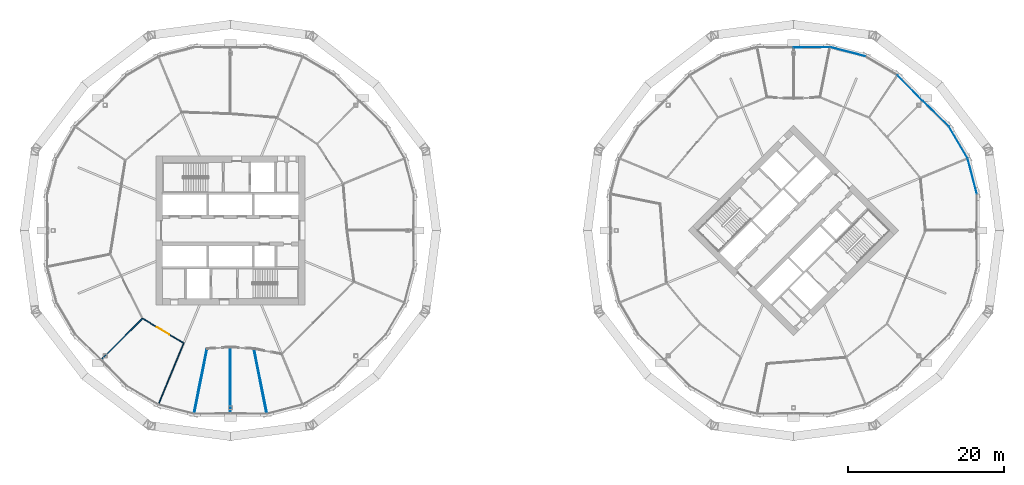
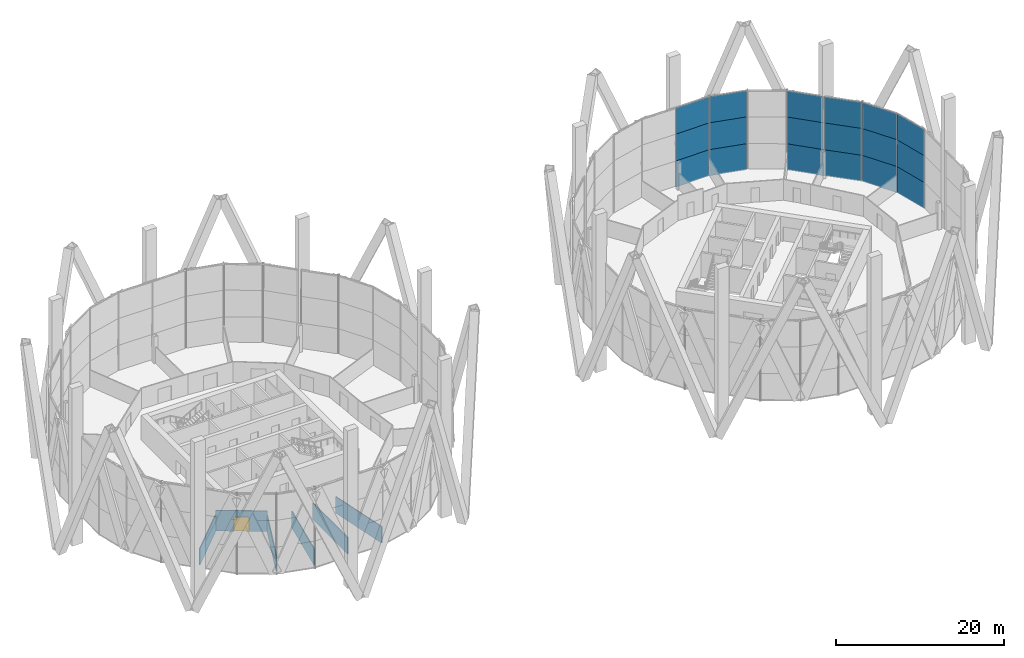
# One storey, part 18 of 26: 18 plates, 6 walls, 1 door, 1 opening, 2 elements without a shape of their own.
"""IFC4 building model written with IfcOpenShell, lengths in metres."""

from ifc_helpers import new_model, si_unit, direction, frame, frame_2d, origin, origin_2d, place, context, subcontext, project, spatial, rectangle, extrude, material, layer, layer_set, type_object, element, fill, aggregate, save


model = new_model("IFC4")

# Units and contexts
model_context = context("Model", 3, precision=1e-05, world=origin(), true_north=direction((0.0, 1.0)))
body_context = subcontext(model_context, "Body", "Model", "MODEL_VIEW")
ifc_project = project(units=[si_unit("LENGTHUNIT", "METRE"), si_unit("AREAUNIT", "SQUARE_METRE"), si_unit("VOLUMEUNIT", "CUBIC_METRE"), si_unit("PLANEANGLEUNIT", "RADIAN"), si_unit("MASSUNIT", "GRAM", prefix="KILO")], contexts=[model_context])

# Site, building, storey
site_placement = place(None, origin())
site = spatial("IfcSite", under=ifc_project, at=site_placement, CompositionType="ELEMENT")
building_placement = place(site_placement, origin())
building = spatial("IfcBuilding", under=site, at=building_placement, Name="Ogive Gate Towers", CompositionType="ELEMENT")
storey_placement = place(building_placement, frame((0.0, 0.0, 76.199951171875)))
storey = spatial("IfcBuildingStorey", under=building, at=storey_placement, Name="L17", CompositionType="ELEMENT", Elevation=76.199951171875)

# Curtain wall, plates
ifc_material_1 = material(Name="Pale metal aluminium", Category="aluminium")
curtain_wall_type = type_object("IfcCurtainWallType", Name="Tower unitised wall, low zone", PredefinedType="NOTDEFINED", material=ifc_material_1)
curtain_wall_1_placement = place(storey_placement, origin())
curtain_wall_1 = element("IfcCurtainWall", 1, at=curtain_wall_1_placement, inside=storey, type_object=curtain_wall_type, Name="CW1 T2 ECW01", PredefinedType="NOTDEFINED")
ifc_material_2 = material(Name="Clear glass", Category="glass")
ifc_layer_1 = layer(ifc_material_2, 0.028076171875)
ifc_layer_set_1 = layer_set([ifc_layer_1], Name="Tower unitised wall, low zone glass panel")
plate_type = type_object("IfcPlateType", Name="Tower unitised wall, low zone glass panel", PredefinedType="CURTAIN_PANEL", material=ifc_layer_set_1)
plate_1_placement = place(storey_placement, frame((58.8544921875, 6.939208984375, -0.2041015625), z_axis=(0.0, 0.0, 1.0), x_axis=(-0.249416730566, 0.968396248709, 0.0)))
plate_1 = element("IfcPlate", 2, at=plate_1_placement, type_object=plate_type, Name="CW1 glass panel", PredefinedType="CURTAIN_PANEL", context=body_context, shape_type="SweptSolid", body=[
    extrude(rectangle(XDim=4.65478515625, YDim=0.028076171875, at=origin_2d()), origin(), (0.0, 0.0, 1.0), 3.803955078125),
])
plate_2_placement = place(storey_placement, frame((58.8544921875, 6.939208984375, 3.60009765625), z_axis=(0.0, 0.0, 1.0), x_axis=(-0.249416730566, 0.968396248709, 0.0)))
plate_2 = element("IfcPlate", 3, at=plate_2_placement, type_object=plate_type, Name="CW1 glass panel", PredefinedType="CURTAIN_PANEL", context=body_context, shape_type="SweptSolid", body=[
    extrude(rectangle(XDim=4.65478515625, YDim=0.028076171875, at=origin_2d()), origin(), (0.0, 0.0, 1.0), 3.89990234375),
])
plate_3_placement = place(storey_placement, frame((58.8544921875, 6.939208984375, 7.5), z_axis=(0.0, 0.0, 1.0), x_axis=(-0.249416730566, 0.968396248709, 0.0)))
plate_3 = element("IfcPlate", 4, at=plate_3_placement, type_object=plate_type, Name="CW1 glass panel", PredefinedType="CURTAIN_PANEL", context=body_context, shape_type="SweptSolid", body=[
    extrude(rectangle(XDim=4.65478515625, YDim=0.028076171875, at=origin_2d()), origin(), (0.0, 0.0, 1.0), 3.803955078125),
])
plate_4_placement = place(storey_placement, frame((57.0673828125, 11.25390625, -0.2041015625), z_axis=(0.0, 0.0, 1.0), x_axis=(-0.508410322181, 0.86111494256, 0.0)))
plate_4 = element("IfcPlate", 5, at=plate_4_placement, type_object=plate_type, Name="CW1 glass panel", PredefinedType="CURTAIN_PANEL", context=body_context, shape_type="SweptSolid", body=[
    extrude(rectangle(XDim=4.65478515625, YDim=0.028076171875, at=origin_2d()), origin(), (0.0, 0.0, 1.0), 3.803955078125),
])
plate_5_placement = place(storey_placement, frame((57.0673828125, 11.25390625, 3.60009765625), z_axis=(0.0, 0.0, 1.0), x_axis=(-0.508410322181, 0.86111494256, 0.0)))
plate_5 = element("IfcPlate", 6, at=plate_5_placement, type_object=plate_type, Name="CW1 glass panel", PredefinedType="CURTAIN_PANEL", context=body_context, shape_type="SweptSolid", body=[
    extrude(rectangle(XDim=4.65478515625, YDim=0.028076171875, at=origin_2d()), origin(), (0.0, 0.0, 1.0), 3.89990234375),
])
plate_6_placement = place(storey_placement, frame((57.0673828125, 11.25390625, 7.5), z_axis=(0.0, 0.0, 1.0), x_axis=(-0.508410322181, 0.86111494256, 0.0)))
plate_6 = element("IfcPlate", 7, at=plate_6_placement, type_object=plate_type, Name="CW1 glass panel", PredefinedType="CURTAIN_PANEL", context=body_context, shape_type="SweptSolid", body=[
    extrude(rectangle(XDim=4.65478515625, YDim=0.028076171875, at=origin_2d()), origin(), (0.0, 0.0, 1.0), 3.803955078125),
])
plate_7_placement = place(storey_placement, frame((54.2060546875, 14.916748046875, -0.2041015625), z_axis=(0.0, 0.0, 1.0), x_axis=(-0.713568438241, 0.700585529358, 0.0)))
plate_7 = element("IfcPlate", 8, at=plate_7_placement, type_object=plate_type, Name="CW1 glass panel", PredefinedType="CURTAIN_PANEL", context=body_context, shape_type="SweptSolid", body=[
    extrude(rectangle(XDim=4.59765625, YDim=0.028076171875, at=origin_2d()), origin(), (0.0, 0.0, 1.0), 3.803955078125),
])
plate_8_placement = place(storey_placement, frame((54.2060546875, 14.916748046875, 3.60009765625), z_axis=(0.0, 0.0, 1.0), x_axis=(-0.713568438241, 0.700585529358, 0.0)))
plate_8 = element("IfcPlate", 9, at=plate_8_placement, type_object=plate_type, Name="CW1 glass panel", PredefinedType="CURTAIN_PANEL", context=body_context, shape_type="SweptSolid", body=[
    extrude(rectangle(XDim=4.59765625, YDim=0.028076171875, at=origin_2d()), origin(), (0.0, 0.0, 1.0), 3.89990234375),
])
plate_9_placement = place(storey_placement, frame((54.2060546875, 14.916748046875, 7.5), z_axis=(0.0, 0.0, 1.0), x_axis=(-0.713568438241, 0.700585529358, 0.0)))
plate_9 = element("IfcPlate", 10, at=plate_9_placement, type_object=plate_type, Name="CW1 glass panel", PredefinedType="CURTAIN_PANEL", context=body_context, shape_type="SweptSolid", body=[
    extrude(rectangle(XDim=4.59765625, YDim=0.028076171875, at=origin_2d()), origin(), (0.0, 0.0, 1.0), 3.803955078125),
])
aggregate(curtain_wall_1, [plate_1, plate_2, plate_3, plate_4, plate_5, plate_6, plate_7, plate_8, plate_9])

curtain_wall_2_placement = place(storey_placement, origin())
curtain_wall_2 = element("IfcCurtainWall", 11, at=curtain_wall_2_placement, inside=storey, type_object=curtain_wall_type, Name="CW1 T2 ECW02", PredefinedType="NOTDEFINED")
plate_10_placement = place(storey_placement, frame((50.916748046875, 18.2060546875, -0.2041015625), z_axis=(0.0, 0.0, 1.0), x_axis=(-0.700585529358, 0.713568438241, 0.0)))
plate_10 = element("IfcPlate", 12, at=plate_10_placement, type_object=plate_type, Name="CW1 glass panel", PredefinedType="CURTAIN_PANEL", context=body_context, shape_type="SweptSolid", body=[
    extrude(rectangle(XDim=4.59765625, YDim=0.028076171875, at=origin_2d()), origin(), (0.0, 0.0, 1.0), 3.803955078125),
])
plate_11_placement = place(storey_placement, frame((50.916748046875, 18.2060546875, 3.60009765625), z_axis=(0.0, 0.0, 1.0), x_axis=(-0.700585529358, 0.713568438241, 0.0)))
plate_11 = element("IfcPlate", 13, at=plate_11_placement, type_object=plate_type, Name="CW1 glass panel", PredefinedType="CURTAIN_PANEL", context=body_context, shape_type="SweptSolid", body=[
    extrude(rectangle(XDim=4.59765625, YDim=0.028076171875, at=origin_2d()), origin(), (0.0, 0.0, 1.0), 3.89990234375),
])
plate_12_placement = place(storey_placement, frame((50.916748046875, 18.2060546875, 7.5), z_axis=(0.0, 0.0, 1.0), x_axis=(-0.700585529358, 0.713568438241, 0.0)))
plate_12 = element("IfcPlate", 14, at=plate_12_placement, type_object=plate_type, Name="CW1 glass panel", PredefinedType="CURTAIN_PANEL", context=body_context, shape_type="SweptSolid", body=[
    extrude(rectangle(XDim=4.59765625, YDim=0.028076171875, at=origin_2d()), origin(), (0.0, 0.0, 1.0), 3.803955078125),
])
plate_13_placement = place(storey_placement, frame((42.939208984375, 22.8544921875, -0.2041015625), z_axis=(0.0, 0.0, 1.0), x_axis=(-0.968396248709, 0.249416730566, 0.0)))
plate_13 = element("IfcPlate", 15, at=plate_13_placement, type_object=plate_type, Name="CW1 glass panel", PredefinedType="CURTAIN_PANEL", context=body_context, shape_type="SweptSolid", body=[
    extrude(rectangle(XDim=4.65478515625, YDim=0.028076171875, at=origin_2d()), origin(), (0.0, 0.0, 1.0), 3.803955078125),
])
plate_14_placement = place(storey_placement, frame((42.939208984375, 22.8544921875, 3.60009765625), z_axis=(0.0, 0.0, 1.0), x_axis=(-0.968396248709, 0.249416730566, 0.0)))
plate_14 = element("IfcPlate", 16, at=plate_14_placement, type_object=plate_type, Name="CW1 glass panel", PredefinedType="CURTAIN_PANEL", context=body_context, shape_type="SweptSolid", body=[
    extrude(rectangle(XDim=4.65478515625, YDim=0.028076171875, at=origin_2d()), origin(), (0.0, 0.0, 1.0), 3.89990234375),
])
plate_15_placement = place(storey_placement, frame((42.939208984375, 22.8544921875, 7.5), z_axis=(0.0, 0.0, 1.0), x_axis=(-0.968396248709, 0.249416730566, 0.0)))
plate_15 = element("IfcPlate", 17, at=plate_15_placement, type_object=plate_type, Name="CW1 glass panel", PredefinedType="CURTAIN_PANEL", context=body_context, shape_type="SweptSolid", body=[
    extrude(rectangle(XDim=4.65478515625, YDim=0.028076171875, at=origin_2d()), origin(), (0.0, 0.0, 1.0), 3.803955078125),
])
plate_16_placement = place(storey_placement, frame((38.32568359375, 23.42138671875, -0.2041015625), z_axis=(0.0, 0.0, 1.0), x_axis=(-0.999957699753, -0.009197755467, 0.0)))
plate_16 = element("IfcPlate", 18, at=plate_16_placement, type_object=plate_type, Name="CW1 glass panel", PredefinedType="CURTAIN_PANEL", context=body_context, shape_type="SweptSolid", body=[
    extrude(rectangle(XDim=4.597900390625, YDim=0.028076171875, at=origin_2d()), origin(), (0.0, 0.0, 1.0), 3.803955078125),
])
plate_17_placement = place(storey_placement, frame((38.32568359375, 23.42138671875, 3.60009765625), z_axis=(0.0, 0.0, 1.0), x_axis=(-0.999957699753, -0.009197755467, 0.0)))
plate_17 = element("IfcPlate", 19, at=plate_17_placement, type_object=plate_type, Name="CW1 glass panel", PredefinedType="CURTAIN_PANEL", context=body_context, shape_type="SweptSolid", body=[
    extrude(rectangle(XDim=4.597900390625, YDim=0.028076171875, at=origin_2d()), origin(), (0.0, 0.0, 1.0), 3.89990234375),
])
plate_18_placement = place(storey_placement, frame((38.32568359375, 23.42138671875, 7.5), z_axis=(0.0, 0.0, 1.0), x_axis=(-0.999957699753, -0.009197755467, 0.0)))
plate_18 = element("IfcPlate", 20, at=plate_18_placement, type_object=plate_type, Name="CW1 glass panel", PredefinedType="CURTAIN_PANEL", context=body_context, shape_type="SweptSolid", body=[
    extrude(rectangle(XDim=4.597900390625, YDim=0.028076171875, at=origin_2d()), origin(), (0.0, 0.0, 1.0), 3.803955078125),
])
aggregate(curtain_wall_2, [plate_10, plate_11, plate_12, plate_13, plate_14, plate_15, plate_16, plate_17, plate_18])

# Walls
ifc_material_3 = material(Name="Gypsum board partition")
ifc_layer_2 = layer(ifc_material_3, 0.125)
ifc_layer_set_2 = layer_set([ifc_layer_2], Name="Partition 125")
wall_type = type_object("IfcWallType", Name="Partition 125", PredefinedType="PARTITIONING", material=ifc_layer_set_2)
wall_1_placement = place(storey_placement, frame((-52.474853515625, -16.474853515625, 0.0), z_axis=(0.0, 0.0, 1.0), x_axis=(0.707106781187, 0.707106781187, 0.0)))
element("IfcWall", 21, at=wall_1_placement, inside=storey, type_object=wall_type, Name="Partition T1-L17-009", PredefinedType="PARTITIONING", context=body_context, shape_type="SweptSolid", body=[
    extrude(rectangle(XDim=7.32666015625, YDim=0.125, at=frame_2d((3.663330078125, 0.0))), origin(), (0.0, 0.0, 1.0), 2.400146484375),
])
for number, where, z_axis, x_axis, name in (
    (22, (-45.184326171875, -22.173095703125, 0.0), (0.0, 0.0, 1.0), (0.3826720415, 0.92388425068, 0.0), "Partition T1-L17-010"),
    (23, (-40.6357421875, -23.34375, 0.0), (0.0, 0.0, 1.0), (0.194779590765, 0.980847037525, 0.0), "Partition T1-L17-011"),
):
    element("IfcWall", number, at=place(storey_placement, frame(where, z_axis=z_axis, x_axis=x_axis)), inside=storey, type_object=wall_type, Name=name, PredefinedType="PARTITIONING", context=body_context, shape_type="SweptSolid", body=[
        extrude(rectangle(XDim=8.326416015625, YDim=0.125, at=frame_2d((4.1630859375, 0.0))), origin(), (0.0, 0.0, 1.0), 2.400146484375),
    ])
wall_2_placement = place(storey_placement, frame((-36.0, -23.299072265625, 0.0), z_axis=(0.0, 0.0, 1.0), x_axis=(0.0, 1.0, 0.0)))
element("IfcWall", 24, at=wall_2_placement, inside=storey, type_object=wall_type, Name="Partition T1-L17-012", PredefinedType="PARTITIONING", context=body_context, shape_type="SweptSolid", body=[
    extrude(rectangle(XDim=8.32666015625, YDim=0.125, at=frame_2d((4.163330078125, 0.0))), origin(), (0.0, 0.0, 1.0), 2.400146484375),
])
wall_3_placement = place(storey_placement, frame((-31.3642578125, -23.34375, 0.0), z_axis=(0.0, 0.0, 1.0), x_axis=(-0.194779590765, 0.980847037525, 0.0)))
element("IfcWall", 25, at=wall_3_placement, inside=storey, type_object=wall_type, Name="Partition T1-L17-013", PredefinedType="PARTITIONING", context=body_context, shape_type="SweptSolid", body=[
    extrude(rectangle(XDim=8.326416015625, YDim=0.125, at=frame_2d((4.1630859375, 0.0))), origin(), (0.0, 0.0, 1.0), 2.400146484375),
])

# Wall, opening, door
wall_4_placement = place(storey_placement, frame((-47.25, -11.25, 0.0), z_axis=(0.0, 0.0, 1.0), x_axis=(0.856985133989, -0.515341129856, 0.0)))
wall_4 = element("IfcWall", 26, at=wall_4_placement, inside=storey, type_object=wall_type, Name="Partition T1-L17-029", PredefinedType="PARTITIONING", context=body_context, shape_type="SweptSolid", body=[
    extrude(rectangle(XDim=6.15625, YDim=0.125, at=frame_2d((3.078125, 0.0))), origin(), (0.0, 0.0, 1.0), 3.0),
])
opening_placement = place(wall_4_placement, frame((2.177978515625, 0.0, 0.0)))
opening = element("IfcOpeningElement", 27, at=opening_placement, cuts=wall_4, Name="Opening T1-L17-D14", PredefinedType="OPENING", context=body_context, shape_type="SweptSolid", body=[
    extrude(rectangle(XDim=1.800048828125, YDim=2.10009765625, at=frame_2d((0.89990234375, 1.050048828125))), frame((0.0, 0.072509765625, 0.0), z_axis=(0.0, -1.0, 0.0), x_axis=(1.0, 0.0, 0.0)), (0.0, 0.0, 1.0), 0.14501953125),
])
ifc_material_4 = material(Name="Timber door", Category="wood")
door_type = type_object("IfcDoorType", Name="Door pair 1800", OperationType="NOTDEFINED", PredefinedType="DOOR", material=ifc_material_4)
door_placement = place(opening_placement, origin())
door = element("IfcDoor", 28, at=door_placement, inside=storey, type_object=door_type, Name="Door T1-L17-D14", OperationType="DOUBLE_DOOR_DOUBLE_SWING", OverallHeight=2.10009765625, OverallWidth=1.800048828125, PredefinedType="DOOR", context=body_context, shape_type="SweptSolid", body=[
    extrude(rectangle(XDim=1.800048828125, YDim=2.10009765625, at=frame_2d((0.89990234375, 1.050048828125))), frame((0.0, 0.02490234375, 0.0), z_axis=(0.0, -1.0, 0.0), x_axis=(1.0, 0.0, 0.0)), (0.0, 0.0, 1.0), 0.050048828125),
])
fill(opening, door)

save(model, "model.ifc")
